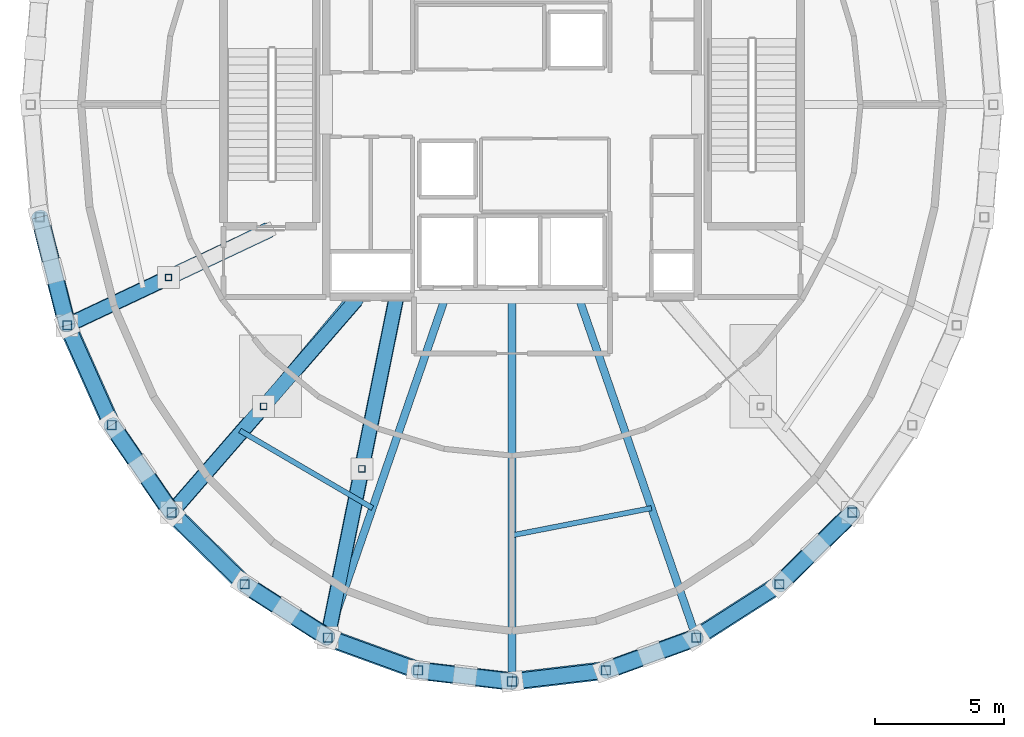
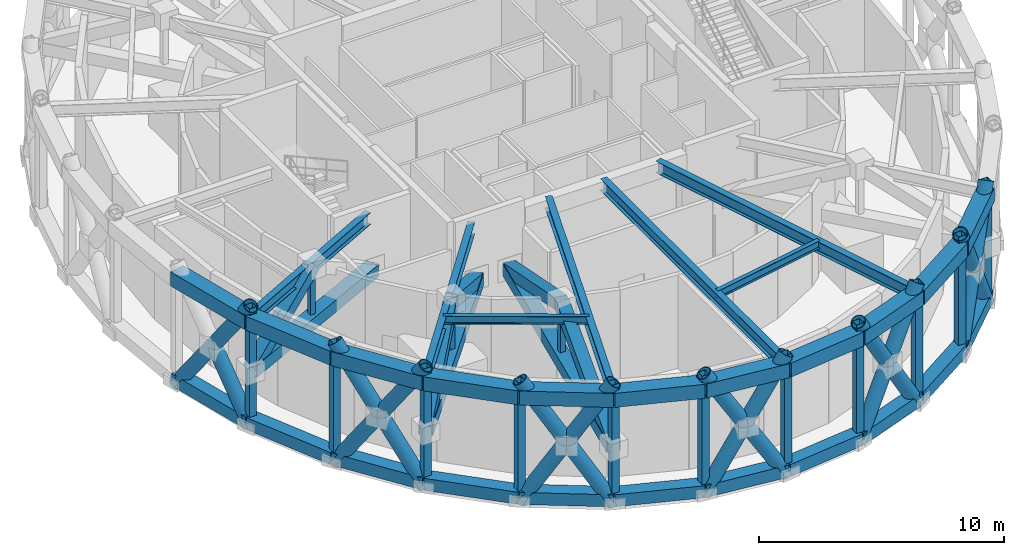
# One storey, part 1 of 11: 36 members, 32 beams.
"""IFC4 building model written with IfcOpenShell, lengths in metres."""

from ifc_helpers import new_model, si_unit, direction, frame, origin, origin_2d, place, context, subcontext, project, spatial, hollow_rectangle, hollow_circle, i_section, extrude, material, material_profile, profile_set, type_object, element, save


model = new_model("IFC4")

# Units and contexts
model_context = context("Model", 3, precision=1e-05, world=origin(), true_north=direction((0.0, 1.0)))
body_context = subcontext(model_context, "Body", "Model", "MODEL_VIEW")
ifc_project = project(units=[si_unit("LENGTHUNIT", "METRE"), si_unit("AREAUNIT", "SQUARE_METRE"), si_unit("VOLUMEUNIT", "CUBIC_METRE"), si_unit("PLANEANGLEUNIT", "RADIAN"), si_unit("MASSUNIT", "GRAM", prefix="KILO")], contexts=[model_context])

# Site, building, storey
site_placement = place(None, origin())
site = spatial("IfcSite", under=ifc_project, at=site_placement, CompositionType="ELEMENT")
building_placement = place(site_placement, origin())
building = spatial("IfcBuilding", under=site, at=building_placement, Name="Veldorina Hangang Commons", CompositionType="ELEMENT")
storey_placement = place(building_placement, frame((0.0, 0.0, 302.39990234375)))
storey = spatial("IfcBuildingStorey", under=building, at=storey_placement, Name="L79", CompositionType="ELEMENT", Elevation=302.39990234375)

# Beams
ifc_material_1 = material(Name="Steel SM460-TMC", Category="steel")
ifc_material_profile_1 = material_profile(ifc_material_1, hollow_rectangle(XDim=0.60009765625, YDim=0.60009765625, WallThickness=0.030029296875, at=origin_2d()), Name="BOX-600x600x30")
ifc_profile_set_1 = profile_set([ifc_material_profile_1], Name="Steel SM460-TMC")
beam_type_1 = type_object("IfcBeamType", Name="BM-BLT600", PredefinedType="BEAM", material=ifc_profile_set_1)
beam_1_placement = place(storey_placement, frame((13.70849609375, 19.6396484375, 0.300048828125), z_axis=(0.245337252872, -0.969437791894, 0.0), x_axis=(0.969437791894, 0.245337252872, 0.0)))
element("IfcBeam", 1, at=beam_1_placement, inside=storey, type_object=beam_type_1, Name="L79 perimeter belt truss bottom chord 17", PredefinedType="BEAM", context=body_context, shape_type="SweptSolid", body=[
    extrude(hollow_rectangle(XDim=0.60009765625, YDim=0.60009765625, WallThickness=0.030029296875, at=origin_2d()), origin(), (0.0, 0.0, 1.0), 4.32470703125),
])
beam_2_placement = place(storey_placement, frame((14.76953125, 15.447021484375, 0.300048828125), z_axis=(0.407380183428, -0.913258663331, 0.0), x_axis=(0.913258663331, 0.407380183428, 0.0)))
element("IfcBeam", 2, at=beam_2_placement, inside=storey, type_object=beam_type_1, Name="L79 perimeter belt truss bottom chord 18", PredefinedType="BEAM", context=body_context, shape_type="SweptSolid", body=[
    extrude(hollow_rectangle(XDim=0.60009765625, YDim=0.60009765625, WallThickness=0.030029296875, at=origin_2d()), origin(), (0.0, 0.0, 1.0), 4.23095703125),
])
beam_3_placement = place(storey_placement, frame((16.4931640625, 11.5830078125, 0.300048828125), z_axis=(0.565033546044, -0.825067931655, 0.0), x_axis=(0.825067931655, 0.565033546044, 0.0)))
element("IfcBeam", 3, at=beam_3_placement, inside=storey, type_object=beam_type_1, Name="L79 perimeter belt truss bottom chord 19", PredefinedType="BEAM", context=body_context, shape_type="SweptSolid", body=[
    extrude(hollow_rectangle(XDim=0.60009765625, YDim=0.60009765625, WallThickness=0.030029296875, at=origin_2d()), origin(), (0.0, 0.0, 1.0), 4.104736328125),
])
beam_4_placement = place(storey_placement, frame((18.8125, 8.1962890625, 0.300048828125), z_axis=(0.71296414879, -0.701200486694, 0.0), x_axis=(0.701200486694, 0.71296414879, 0.0)))
element("IfcBeam", 4, at=beam_4_placement, inside=storey, type_object=beam_type_1, Name="L79 perimeter belt truss bottom chord 20", PredefinedType="BEAM", context=body_context, shape_type="SweptSolid", body=[
    extrude(hollow_rectangle(XDim=0.60009765625, YDim=0.60009765625, WallThickness=0.030029296875, at=origin_2d()), origin(), (0.0, 0.0, 1.0), 3.9638671875),
])
beam_5_placement = place(storey_placement, frame((21.638671875, 5.416748046875, 0.300048828125), z_axis=(0.84205364247, -0.539393792329, 0.0), x_axis=(0.539393792329, 0.84205364247, 0.0)))
element("IfcBeam", 5, at=beam_5_placement, inside=storey, type_object=beam_type_1, Name="L79 perimeter belt truss bottom chord 21", PredefinedType="BEAM", context=body_context, shape_type="SweptSolid", body=[
    extrude(hollow_rectangle(XDim=0.60009765625, YDim=0.60009765625, WallThickness=0.030029296875, at=origin_2d()), origin(), (0.0, 0.0, 1.0), 3.8291015625),
])
beam_6_placement = place(storey_placement, frame((24.863037109375, 3.351318359375, 0.300048828125), z_axis=(0.939812570501, -0.341690404209, 0.0), x_axis=(0.341690404209, 0.939812570501, 0.0)))
element("IfcBeam", 6, at=beam_6_placement, inside=storey, type_object=beam_type_1, Name="L79 perimeter belt truss bottom chord 22", PredefinedType="BEAM", context=body_context, shape_type="SweptSolid", body=[
    extrude(hollow_rectangle(XDim=0.60009765625, YDim=0.60009765625, WallThickness=0.030029296875, at=origin_2d()), origin(), (0.0, 0.0, 1.0), 3.72265625),
])
for number, where, z_axis, x_axis, name in (
    (7, (28.361572265625, 2.079345703125, 0.300048828125), (0.993106411409, -0.117216277103, 0.0), (0.117216277103, 0.993106411409, 0.0), "L79 perimeter belt truss bottom chord 23"),
    (8, (32.0, 1.64990234375, 0.300048828125), (0.993106411409, 0.117216277103, 0.0), (-0.117216277103, 0.993106411409, 0.0), "L79 perimeter belt truss bottom chord 24"),
):
    element("IfcBeam", number, at=place(storey_placement, frame(where, z_axis=z_axis, x_axis=x_axis)), inside=storey, type_object=beam_type_1, Name=name, PredefinedType="BEAM", context=body_context, shape_type="SweptSolid", body=[
        extrude(hollow_rectangle(XDim=0.60009765625, YDim=0.60009765625, WallThickness=0.030029296875, at=origin_2d()), origin(), (0.0, 0.0, 1.0), 3.66357421875),
    ])
beam_7_placement = place(storey_placement, frame((35.638427734375, 2.079345703125, 0.300048828125), z_axis=(0.939812570501, 0.341690404209, 0.0), x_axis=(-0.341690404209, 0.939812570501, 0.0)))
element("IfcBeam", 9, at=beam_7_placement, inside=storey, type_object=beam_type_1, Name="L79 perimeter belt truss bottom chord 25", PredefinedType="BEAM", context=body_context, shape_type="SweptSolid", body=[
    extrude(hollow_rectangle(XDim=0.60009765625, YDim=0.60009765625, WallThickness=0.030029296875, at=origin_2d()), origin(), (0.0, 0.0, 1.0), 3.72265625),
])
beam_8_placement = place(storey_placement, frame((39.136962890625, 3.351318359375, 0.300048828125), z_axis=(0.84205364247, 0.539393792329, 0.0), x_axis=(-0.539393792329, 0.84205364247, 0.0)))
element("IfcBeam", 10, at=beam_8_placement, inside=storey, type_object=beam_type_1, Name="L79 perimeter belt truss bottom chord 26", PredefinedType="BEAM", context=body_context, shape_type="SweptSolid", body=[
    extrude(hollow_rectangle(XDim=0.60009765625, YDim=0.60009765625, WallThickness=0.030029296875, at=origin_2d()), origin(), (0.0, 0.0, 1.0), 3.8291015625),
])
beam_9_placement = place(storey_placement, frame((42.361328125, 5.416748046875, 0.300048828125), z_axis=(0.71296414879, 0.701200486694, 0.0), x_axis=(-0.701200486694, 0.71296414879, 0.0)))
element("IfcBeam", 11, at=beam_9_placement, inside=storey, type_object=beam_type_1, Name="L79 perimeter belt truss bottom chord 27", PredefinedType="BEAM", context=body_context, shape_type="SweptSolid", body=[
    extrude(hollow_rectangle(XDim=0.60009765625, YDim=0.60009765625, WallThickness=0.030029296875, at=origin_2d()), origin(), (0.0, 0.0, 1.0), 3.9638671875),
])
beam_10_placement = place(storey_placement, frame((22.6201171875, 19.14990234375, 2.85009765625), z_axis=(-0.904441625804, -0.426597404484, 0.0), x_axis=(0.426597404484, -0.904441625804, 0.0)))
element("IfcBeam", 12, at=beam_10_placement, inside=storey, type_object=beam_type_1, Name="L79 outrigger chord 05", PredefinedType="BEAM", context=body_context, shape_type="SweptSolid", body=[
    extrude(hollow_rectangle(XDim=0.60009765625, YDim=0.60009765625, WallThickness=0.030029296875, at=origin_2d()), origin(), (0.0, 0.0, 1.0), 8.679931640625),
])
beam_11_placement = place(storey_placement, frame((25.949951171875, 16.419921875, 2.85009765625), z_axis=(-0.655470688374, -0.755220614578, 0.0), x_axis=(0.755220614578, -0.655470688374, 0.0)))
element("IfcBeam", 13, at=beam_11_placement, inside=storey, type_object=beam_type_1, Name="L79 outrigger chord 06", PredefinedType="BEAM", context=body_context, shape_type="SweptSolid", body=[
    extrude(hollow_rectangle(XDim=0.60009765625, YDim=0.60009765625, WallThickness=0.030029296875, at=origin_2d()), origin(), (0.0, 0.0, 1.0), 10.88916015625),
])
beam_12_placement = place(storey_placement, frame((27.5, 16.419921875, 2.85009765625), z_axis=(-0.197792136691, -0.980243985273, 0.0), x_axis=(0.980243985273, -0.197792136691, 0.0)))
element("IfcBeam", 14, at=beam_12_placement, inside=storey, type_object=beam_type_1, Name="L79 outrigger chord 07", PredefinedType="BEAM", context=body_context, shape_type="SweptSolid", body=[
    extrude(hollow_rectangle(XDim=0.60009765625, YDim=0.60009765625, WallThickness=0.030029296875, at=origin_2d()), origin(), (0.0, 0.0, 1.0), 13.33203125),
])
ifc_material_profile_2 = material_profile(ifc_material_1, hollow_rectangle(XDim=0.699951171875, YDim=0.699951171875, WallThickness=0.034912109375, at=origin_2d()), Name="BOX-700x700x35")
ifc_profile_set_2 = profile_set([ifc_material_profile_2], Name="Steel SM460-TMC")
beam_type_2 = type_object("IfcBeamType", Name="BM-BLT700", PredefinedType="BEAM", material=ifc_profile_set_2)
beam_13_placement = place(storey_placement, frame((13.70849609375, 19.6396484375, 5.330078125), z_axis=(0.245337252872, -0.969437791894, 0.0), x_axis=(0.969437791894, 0.245337252872, 0.0)))
element("IfcBeam", 15, at=beam_13_placement, inside=storey, type_object=beam_type_2, Name="L79 perimeter hoop ring beam 17", PredefinedType="BEAM", context=body_context, shape_type="SweptSolid", body=[
    extrude(hollow_rectangle(XDim=0.699951171875, YDim=0.699951171875, WallThickness=0.034912109375, at=origin_2d()), origin(), (0.0, 0.0, 1.0), 4.32470703125),
])
beam_14_placement = place(storey_placement, frame((14.76953125, 15.447021484375, 5.330078125), z_axis=(0.407380183428, -0.913258663331, 0.0), x_axis=(0.913258663331, 0.407380183428, 0.0)))
element("IfcBeam", 16, at=beam_14_placement, inside=storey, type_object=beam_type_2, Name="L79 perimeter hoop ring beam 18", PredefinedType="BEAM", context=body_context, shape_type="SweptSolid", body=[
    extrude(hollow_rectangle(XDim=0.699951171875, YDim=0.699951171875, WallThickness=0.034912109375, at=origin_2d()), origin(), (0.0, 0.0, 1.0), 4.23095703125),
])
beam_15_placement = place(storey_placement, frame((16.4931640625, 11.5830078125, 5.330078125), z_axis=(0.565033546044, -0.825067931655, 0.0), x_axis=(0.825067931655, 0.565033546044, 0.0)))
element("IfcBeam", 17, at=beam_15_placement, inside=storey, type_object=beam_type_2, Name="L79 perimeter hoop ring beam 19", PredefinedType="BEAM", context=body_context, shape_type="SweptSolid", body=[
    extrude(hollow_rectangle(XDim=0.699951171875, YDim=0.699951171875, WallThickness=0.034912109375, at=origin_2d()), origin(), (0.0, 0.0, 1.0), 4.104736328125),
])
beam_16_placement = place(storey_placement, frame((18.8125, 8.1962890625, 5.330078125), z_axis=(0.71296414879, -0.701200486694, 0.0), x_axis=(0.701200486694, 0.71296414879, 0.0)))
element("IfcBeam", 18, at=beam_16_placement, inside=storey, type_object=beam_type_2, Name="L79 perimeter hoop ring beam 20", PredefinedType="BEAM", context=body_context, shape_type="SweptSolid", body=[
    extrude(hollow_rectangle(XDim=0.699951171875, YDim=0.699951171875, WallThickness=0.034912109375, at=origin_2d()), origin(), (0.0, 0.0, 1.0), 3.9638671875),
])
beam_17_placement = place(storey_placement, frame((21.638671875, 5.416748046875, 5.330078125), z_axis=(0.84205364247, -0.539393792329, 0.0), x_axis=(0.539393792329, 0.84205364247, 0.0)))
element("IfcBeam", 19, at=beam_17_placement, inside=storey, type_object=beam_type_2, Name="L79 perimeter hoop ring beam 21", PredefinedType="BEAM", context=body_context, shape_type="SweptSolid", body=[
    extrude(hollow_rectangle(XDim=0.699951171875, YDim=0.699951171875, WallThickness=0.034912109375, at=origin_2d()), origin(), (0.0, 0.0, 1.0), 3.8291015625),
])
beam_18_placement = place(storey_placement, frame((24.863037109375, 3.351318359375, 5.330078125), z_axis=(0.939812570501, -0.341690404209, 0.0), x_axis=(0.341690404209, 0.939812570501, 0.0)))
element("IfcBeam", 20, at=beam_18_placement, inside=storey, type_object=beam_type_2, Name="L79 perimeter hoop ring beam 22", PredefinedType="BEAM", context=body_context, shape_type="SweptSolid", body=[
    extrude(hollow_rectangle(XDim=0.699951171875, YDim=0.699951171875, WallThickness=0.034912109375, at=origin_2d()), origin(), (0.0, 0.0, 1.0), 3.72265625),
])
for number, where, z_axis, x_axis, name in (
    (21, (28.361572265625, 2.079345703125, 5.330078125), (0.993106411409, -0.117216277103, 0.0), (0.117216277103, 0.993106411409, 0.0), "L79 perimeter hoop ring beam 23"),
    (22, (32.0, 1.64990234375, 5.330078125), (0.993106411409, 0.117216277103, 0.0), (-0.117216277103, 0.993106411409, 0.0), "L79 perimeter hoop ring beam 24"),
):
    element("IfcBeam", number, at=place(storey_placement, frame(where, z_axis=z_axis, x_axis=x_axis)), inside=storey, type_object=beam_type_2, Name=name, PredefinedType="BEAM", context=body_context, shape_type="SweptSolid", body=[
        extrude(hollow_rectangle(XDim=0.699951171875, YDim=0.699951171875, WallThickness=0.034912109375, at=origin_2d()), origin(), (0.0, 0.0, 1.0), 3.66357421875),
    ])
beam_19_placement = place(storey_placement, frame((35.638427734375, 2.079345703125, 5.330078125), z_axis=(0.939812570501, 0.341690404209, 0.0), x_axis=(-0.341690404209, 0.939812570501, 0.0)))
element("IfcBeam", 23, at=beam_19_placement, inside=storey, type_object=beam_type_2, Name="L79 perimeter hoop ring beam 25", PredefinedType="BEAM", context=body_context, shape_type="SweptSolid", body=[
    extrude(hollow_rectangle(XDim=0.699951171875, YDim=0.699951171875, WallThickness=0.034912109375, at=origin_2d()), origin(), (0.0, 0.0, 1.0), 3.72265625),
])
beam_20_placement = place(storey_placement, frame((39.136962890625, 3.351318359375, 5.330078125), z_axis=(0.84205364247, 0.539393792329, 0.0), x_axis=(-0.539393792329, 0.84205364247, 0.0)))
element("IfcBeam", 24, at=beam_20_placement, inside=storey, type_object=beam_type_2, Name="L79 perimeter hoop ring beam 26", PredefinedType="BEAM", context=body_context, shape_type="SweptSolid", body=[
    extrude(hollow_rectangle(XDim=0.699951171875, YDim=0.699951171875, WallThickness=0.034912109375, at=origin_2d()), origin(), (0.0, 0.0, 1.0), 3.8291015625),
])
beam_21_placement = place(storey_placement, frame((42.361328125, 5.416748046875, 5.330078125), z_axis=(0.71296414879, 0.701200486694, 0.0), x_axis=(-0.701200486694, 0.71296414879, 0.0)))
element("IfcBeam", 25, at=beam_21_placement, inside=storey, type_object=beam_type_2, Name="L79 perimeter hoop ring beam 27", PredefinedType="BEAM", context=body_context, shape_type="SweptSolid", body=[
    extrude(hollow_rectangle(XDim=0.699951171875, YDim=0.699951171875, WallThickness=0.034912109375, at=origin_2d()), origin(), (0.0, 0.0, 1.0), 3.9638671875),
])
ifc_material_profile_3 = material_profile(ifc_material_1, i_section(OverallWidth=0.300048828125, OverallDepth=0.587890625, WebThickness=0.011962890625, FlangeThickness=0.02001953125, FilletRadius=0.01806640625, at=origin_2d()), Name="H-588x300x12x20")
ifc_profile_set_3 = profile_set([ifc_material_profile_3], Name="Steel SM460-TMC")
beam_type_3 = type_object("IfcBeamType", Name="BM-FG588", PredefinedType="BEAM", material=ifc_profile_set_3)
beam_22_placement = place(storey_placement, frame((22.4912109375, 19.280029296875, 5.385986328125), z_axis=(-0.895714868119, -0.444628918347, 0.0), x_axis=(0.444628918347, -0.895714868119, 0.0)))
element("IfcBeam", 26, at=beam_22_placement, inside=storey, type_object=beam_type_3, Name="L79 radial floor girder 10", PredefinedType="BEAM", context=body_context, shape_type="SweptSolid", body=[
    extrude(i_section(OverallWidth=0.300048828125, OverallDepth=0.587890625, WebThickness=0.011962890625, FlangeThickness=0.02001953125, FilletRadius=0.01806640625, at=origin_2d()), origin(), (0.0, 0.0, 1.0), 8.62060546875),
])
beam_23_placement = place(storey_placement, frame((25.783203125, 16.550048828125, 5.385986328125), z_axis=(-0.640685284005, -0.767803599145, 0.0), x_axis=(0.767803599145, -0.640685284005, 0.0)))
element("IfcBeam", 27, at=beam_23_placement, inside=storey, type_object=beam_type_3, Name="L79 radial floor girder 11", PredefinedType="BEAM", context=body_context, shape_type="SweptSolid", body=[
    extrude(i_section(OverallWidth=0.300048828125, OverallDepth=0.587890625, WebThickness=0.011962890625, FlangeThickness=0.02001953125, FilletRadius=0.01806640625, at=origin_2d()), origin(), (0.0, 0.0, 1.0), 10.880126953125),
])
beam_24_placement = place(storey_placement, frame((29.425048828125, 16.550048828125, 5.385986328125), z_axis=(-0.32667700173, -0.945136041288, 0.0), x_axis=(0.945136041288, -0.32667700173, 0.0)))
element("IfcBeam", 28, at=beam_24_placement, inside=storey, type_object=beam_type_3, Name="L79 radial floor girder 12", PredefinedType="BEAM", context=body_context, shape_type="SweptSolid", body=[
    extrude(i_section(OverallWidth=0.300048828125, OverallDepth=0.587890625, WebThickness=0.011962890625, FlangeThickness=0.02001953125, FilletRadius=0.01806640625, at=origin_2d()), origin(), (0.0, 0.0, 1.0), 13.96484375),
])
beam_25_placement = place(storey_placement, frame((32.0, 16.550048828125, 5.385986328125), z_axis=(0.0, -1.0, 0.0), x_axis=(1.0, 0.0, 0.0)))
element("IfcBeam", 29, at=beam_25_placement, inside=storey, type_object=beam_type_3, Name="L79 radial floor girder 13", PredefinedType="BEAM", context=body_context, shape_type="SweptSolid", body=[
    extrude(i_section(OverallWidth=0.300048828125, OverallDepth=0.587890625, WebThickness=0.011962890625, FlangeThickness=0.02001953125, FilletRadius=0.01806640625, at=origin_2d()), origin(), (0.0, 0.0, 1.0), 14.900146484375),
])
beam_26_placement = place(storey_placement, frame((34.574951171875, 16.550048828125, 5.385986328125), z_axis=(0.32667700173, -0.945136041288, 0.0), x_axis=(0.945136041288, 0.32667700173, 0.0)))
element("IfcBeam", 30, at=beam_26_placement, inside=storey, type_object=beam_type_3, Name="L79 radial floor girder 14", PredefinedType="BEAM", context=body_context, shape_type="SweptSolid", body=[
    extrude(i_section(OverallWidth=0.300048828125, OverallDepth=0.587890625, WebThickness=0.011962890625, FlangeThickness=0.02001953125, FilletRadius=0.01806640625, at=origin_2d()), origin(), (0.0, 0.0, 1.0), 13.96484375),
])
ifc_material_2 = material(Name="Steel SM355-TMC", Category="steel")
ifc_material_profile_4 = material_profile(ifc_material_2, i_section(OverallWidth=0.199951171875, OverallDepth=0.39990234375, WebThickness=0.008056640625, FlangeThickness=0.012939453125, FilletRadius=0.012939453125, at=origin_2d()), Name="H-400x200x8x13")
ifc_profile_set_4 = profile_set([ifc_material_profile_4], Name="Steel SM355-TMC")
beam_type_4 = type_object("IfcBeamType", Name="BM-JST400", PredefinedType="JOIST", material=ifc_profile_set_4)
beam_27_placement = place(storey_placement, frame((21.46142578125, 11.37060546875, 5.47998046875), z_axis=(0.863168031084, -0.504916775433, 0.0), x_axis=(0.504916775433, 0.863168031084, 0.0)))
element("IfcBeam", 31, at=beam_27_placement, inside=storey, type_object=beam_type_4, Name="L79 secondary floor joist 11", PredefinedType="JOIST", context=body_context, shape_type="SweptSolid", body=[
    extrude(i_section(OverallWidth=0.199951171875, OverallDepth=0.39990234375, WebThickness=0.008056640625, FlangeThickness=0.012939453125, FilletRadius=0.012939453125, at=origin_2d()), origin(), (0.0, 0.0, 1.0), 5.94921875),
])
beam_28_placement = place(storey_placement, frame((32.0, 7.31201171875, 5.47998046875), z_axis=(0.981477578054, 0.191577043972, 0.0), x_axis=(-0.191577043972, 0.981477578054, 0.0)))
element("IfcBeam", 32, at=beam_28_placement, inside=storey, type_object=beam_type_4, Name="L79 secondary floor joist 13", PredefinedType="JOIST", context=body_context, shape_type="SweptSolid", body=[
    extrude(i_section(OverallWidth=0.199951171875, OverallDepth=0.39990234375, WebThickness=0.008056640625, FlangeThickness=0.012939453125, FilletRadius=0.012939453125, at=origin_2d()), origin(), (0.0, 0.0, 1.0), 5.50537109375),
])

# Members
ifc_material_profile_5 = material_profile(ifc_material_1, hollow_circle(Radius=0.324951171875, WallThickness=0.031982421875, at=origin_2d()), Name="CHS-650x32")
ifc_profile_set_5 = profile_set([ifc_material_profile_5], Name="Steel SM460-TMC")
member_type_1 = type_object("IfcMemberType", Name="DG-CHS650", PredefinedType="BRACE", material=ifc_profile_set_5)
member_1_placement = place(storey_placement, frame((13.70849609375, 19.6396484375, 0.0), z_axis=(0.143456610125, -0.566861565963, 0.81122633466), x_axis=(0.969437791894, 0.245337252872, 0.0)))
element("IfcMember", 33, at=member_1_placement, inside=storey, type_object=member_type_1, Name="L79 continuous perimeter diagrid brace 17", PredefinedType="BRACE", context=body_context, shape_type="SweptSolid", body=[
    extrude(hollow_circle(Radius=0.324951171875, WallThickness=0.031982421875, at=origin_2d()), origin(), (0.0, 0.0, 1.0), 7.396240234375),
])
member_2_placement = place(storey_placement, frame((14.76953125, 15.447021484375, 0.0), z_axis=(-0.143453925838, 0.566883967407, 0.811211155408), x_axis=(-0.969441189439, -0.245323827256, 0.0)))
element("IfcMember", 34, at=member_2_placement, inside=storey, type_object=member_type_1, Name="L79 split perimeter diagrid lower brace 18", PredefinedType="BRACE", context=body_context, shape_type="SweptSolid", body=[
    extrude(hollow_circle(Radius=0.324951171875, WallThickness=0.031982421875, at=origin_2d()), origin(), (0.0, 0.0, 1.0), 3.6982421875),
])
member_3_placement = place(storey_placement, frame((16.4931640625, 11.5830078125, 0.0), z_axis=(0.319039545567, -0.465864902747, 0.825338512826), x_axis=(0.825067931655, 0.565033546044, 0.0)))
element("IfcMember", 35, at=member_3_placement, inside=storey, type_object=member_type_1, Name="L79 continuous perimeter diagrid brace 19", PredefinedType="BRACE", context=body_context, shape_type="SweptSolid", body=[
    extrude(hollow_circle(Radius=0.324951171875, WallThickness=0.031982421875, at=origin_2d()), origin(), (0.0, 0.0, 1.0), 7.269775390625),
])
for number, where, z_axis, x_axis, name in (
    (36, (18.8125, 8.1962890625, 0.0), (-0.319039545567, 0.465864902747, 0.825338512826), (-0.825067931655, -0.565033546044, 0.0), "L79 split perimeter diagrid lower brace 20"),
    (37, (17.65283203125, 9.8896484375, 3.0), (-0.319039545567, 0.465864902747, 0.825338512826), (-0.825067931655, -0.565033546044, 0.0), "L79 split perimeter diagrid upper brace 20"),
):
    element("IfcMember", number, at=place(storey_placement, frame(where, z_axis=z_axis, x_axis=x_axis)), inside=storey, type_object=member_type_1, Name=name, PredefinedType="BRACE", context=body_context, shape_type="SweptSolid", body=[
        extrude(hollow_circle(Radius=0.324951171875, WallThickness=0.031982421875, at=origin_2d()), origin(), (0.0, 0.0, 1.0), 3.634765625),
    ])
member_4_placement = place(storey_placement, frame((21.638671875, 5.416748046875, 0.0), z_axis=(0.453002698216, -0.290179664337, 0.842961634841), x_axis=(0.539393792329, 0.84205364247, 0.0)))
element("IfcMember", 38, at=member_4_placement, inside=storey, type_object=member_type_1, Name="L79 continuous perimeter diagrid brace 21", PredefinedType="BRACE", context=body_context, shape_type="SweptSolid", body=[
    extrude(hollow_circle(Radius=0.324951171875, WallThickness=0.031982421875, at=origin_2d()), origin(), (0.0, 0.0, 1.0), 7.11767578125),
])
for number, where, z_axis, x_axis, name in (
    (39, (24.863037109375, 3.351318359375, 0.0), (-0.453029958984, 0.290175155437, 0.842948536644), (-0.539364834717, -0.842072191128, 0.0), "L79 split perimeter diagrid lower brace 22"),
    (40, (23.250732421875, 4.384033203125, 3.0), (-0.452975436177, 0.290184173107, 0.842974732657), (-0.539422752413, -0.842035090824, 0.0), "L79 split perimeter diagrid upper brace 22"),
):
    element("IfcMember", number, at=place(storey_placement, frame(where, z_axis=z_axis, x_axis=x_axis)), inside=storey, type_object=member_type_1, Name=name, PredefinedType="BRACE", context=body_context, shape_type="SweptSolid", body=[
        extrude(hollow_circle(Radius=0.324951171875, WallThickness=0.031982421875, at=origin_2d()), origin(), (0.0, 0.0, 1.0), 3.558837890625),
    ])
member_5_placement = place(storey_placement, frame((28.361572265625, 2.079345703125, 0.0), z_axis=(0.51754850193, -0.06108621183, 0.853470575283), x_axis=(0.117216277103, 0.993106411409, 0.0)))
element("IfcMember", 41, at=member_5_placement, inside=storey, type_object=member_type_1, Name="L79 continuous perimeter diagrid brace 23", PredefinedType="BRACE", context=body_context, shape_type="SweptSolid", body=[
    extrude(hollow_circle(Radius=0.324951171875, WallThickness=0.031982421875, at=origin_2d()), origin(), (0.0, 0.0, 1.0), 7.030029296875),
])
member_6_placement = place(storey_placement, frame((32.0, 1.64990234375, 0.0), z_axis=(-0.517521977289, 0.061121908471, 0.853484103735), x_axis=(-0.117289760722, -0.993097735386, 0.0)))
element("IfcMember", 42, at=member_6_placement, inside=storey, type_object=member_type_1, Name="L79 split perimeter diagrid lower brace 24", PredefinedType="BRACE", context=body_context, shape_type="SweptSolid", body=[
    extrude(hollow_circle(Radius=0.324951171875, WallThickness=0.031982421875, at=origin_2d()), origin(), (0.0, 0.0, 1.0), 3.514892578125),
])
member_7_placement = place(storey_placement, frame((30.180908203125, 1.86474609375, 3.0), z_axis=(-0.517575024613, 0.061050516188, 0.853457045416), x_axis=(-0.11714280142, -0.993115080983, 0.0)))
element("IfcMember", 43, at=member_7_placement, inside=storey, type_object=member_type_1, Name="L79 split perimeter diagrid upper brace 24", PredefinedType="BRACE", context=body_context, shape_type="SweptSolid", body=[
    extrude(hollow_circle(Radius=0.324951171875, WallThickness=0.031982421875, at=origin_2d()), origin(), (0.0, 0.0, 1.0), 3.51513671875),
])
member_8_placement = place(storey_placement, frame((35.638427734375, 2.079345703125, 0.0), z_axis=(0.495473332743, 0.180140688318, 0.849738494452), x_axis=(-0.341690404209, 0.939812570501, 0.0)))
element("IfcMember", 44, at=member_8_placement, inside=storey, type_object=member_type_1, Name="L79 continuous perimeter diagrid brace 25", PredefinedType="BRACE", context=body_context, shape_type="SweptSolid", body=[
    extrude(hollow_circle(Radius=0.324951171875, WallThickness=0.031982421875, at=origin_2d()), origin(), (0.0, 0.0, 1.0), 7.06103515625),
])
for number, where, z_axis, x_axis, name in (
    (45, (39.136962890625, 3.351318359375, 0.0), (-0.495473332743, -0.180140688318, 0.849738494452), (0.341690404209, -0.939812570501, 0.0), "L79 split perimeter diagrid lower brace 26"),
    (46, (37.3876953125, 2.71533203125, 3.0), (-0.495473332743, -0.180140688318, 0.849738494452), (0.341690404209, -0.939812570501, 0.0), "L79 split perimeter diagrid upper brace 26"),
):
    element("IfcMember", number, at=place(storey_placement, frame(where, z_axis=z_axis, x_axis=x_axis)), inside=storey, type_object=member_type_1, Name=name, PredefinedType="BRACE", context=body_context, shape_type="SweptSolid", body=[
        extrude(hollow_circle(Radius=0.324951171875, WallThickness=0.031982421875, at=origin_2d()), origin(), (0.0, 0.0, 1.0), 3.530517578125),
    ])
member_9_placement = place(storey_placement, frame((42.361328125, 5.416748046875, 0.0), z_axis=(0.393005204485, 0.386520754411, 0.834355209522), x_axis=(-0.701200486694, 0.71296414879, 0.0)))
element("IfcMember", 47, at=member_9_placement, inside=storey, type_object=member_type_1, Name="L79 continuous perimeter diagrid brace 27", PredefinedType="BRACE", context=body_context, shape_type="SweptSolid", body=[
    extrude(hollow_circle(Radius=0.324951171875, WallThickness=0.031982421875, at=origin_2d()), origin(), (0.0, 0.0, 1.0), 7.191162109375),
])
member_10_placement = place(storey_placement, frame((45.1875, 8.1962890625, 0.0), z_axis=(-0.393000047197, -0.386549631771, 0.834344260531), x_axis=(0.70123179189, -0.712933358767, 0.0)))
element("IfcMember", 48, at=member_10_placement, inside=storey, type_object=member_type_1, Name="L79 split perimeter diagrid lower brace 28", PredefinedType="BRACE", context=body_context, shape_type="SweptSolid", body=[
    extrude(hollow_circle(Radius=0.324951171875, WallThickness=0.031982421875, at=origin_2d()), origin(), (0.0, 0.0, 1.0), 3.595703125),
])
member_11_placement = place(storey_placement, frame((43.7744140625, 6.806396484375, 3.0), z_axis=(-0.393010361524, -0.386491875915, 0.834366157983), x_axis=(0.701169177442, -0.712994940098, 0.0)))
element("IfcMember", 49, at=member_11_placement, inside=storey, type_object=member_type_1, Name="L79 split perimeter diagrid upper brace 28", PredefinedType="BRACE", context=body_context, shape_type="SweptSolid", body=[
    extrude(hollow_circle(Radius=0.324951171875, WallThickness=0.031982421875, at=origin_2d()), origin(), (0.0, 0.0, 1.0), 3.595458984375),
])
ifc_material_3 = material(Name="Steel SM420-TMC", Category="steel")
ifc_material_profile_6 = material_profile(ifc_material_3, hollow_rectangle(XDim=0.550048828125, YDim=0.550048828125, WallThickness=0.02490234375, at=origin_2d()), Name="BOX-550x550x25")
ifc_profile_set_6 = profile_set([ifc_material_profile_6], Name="Steel SM420-TMC")
member_type_2 = type_object("IfcMemberType", Name="OR-BOX550", PredefinedType="BRACE", material=ifc_profile_set_6)
member_12_placement = place(storey_placement, frame((18.69482421875, 17.298583984375, 5.530029296875), z_axis=(-0.769543369251, -0.362993961463, -0.52539355419), x_axis=(0.426620412109, -0.904430773455, 0.0)))
element("IfcMember", 50, at=member_12_placement, inside=storey, type_object=member_type_2, Name="L79 outrigger outer web diagonal 05", PredefinedType="BRACE", context=body_context, shape_type="SweptSolid", body=[
    extrude(hollow_rectangle(XDim=0.550048828125, YDim=0.550048828125, WallThickness=0.02490234375, at=origin_2d()), origin(), (0.0, 0.0, 1.0), 5.100830078125),
])
for number, where, z_axis, x_axis, name in (
    (51, (25.949951171875, 16.419921875, 2.85009765625), (-0.588075146009, -0.677591955195, 0.441629669408), (0.755231713465, -0.655457900232, 0.0), "L79 outrigger inner web diagonal 06"),
    (52, (22.38134765625, 12.30810546875, 5.530029296875), (-0.588101463726, -0.677575923661, -0.44161922064), (0.7552095158, -0.655483475951, 0.0), "L79 outrigger outer web diagonal 06"),
):
    element("IfcMember", number, at=place(storey_placement, frame(where, z_axis=z_axis, x_axis=x_axis)), inside=storey, type_object=member_type_2, Name=name, PredefinedType="BRACE", context=body_context, shape_type="SweptSolid", body=[
        extrude(hollow_rectangle(XDim=0.550048828125, YDim=0.550048828125, WallThickness=0.02490234375, at=origin_2d()), origin(), (0.0, 0.0, 1.0), 6.068359375),
    ])
member_13_placement = place(storey_placement, frame((27.5, 16.419921875, 2.85009765625), z_axis=(-0.183535885727, -0.90948980663, 0.373018592414), x_axis=(0.980239718081, -0.197813283416, 0.0)))
element("IfcMember", 53, at=member_13_placement, inside=storey, type_object=member_type_2, Name="L79 outrigger inner web diagonal 07", PredefinedType="BRACE", context=body_context, shape_type="SweptSolid", body=[
    extrude(hollow_rectangle(XDim=0.550048828125, YDim=0.550048828125, WallThickness=0.02490234375, at=origin_2d()), origin(), (0.0, 0.0, 1.0), 7.184326171875),
])
member_14_placement = place(storey_placement, frame((26.181396484375, 9.8857421875, 5.530029296875), z_axis=(-0.183497376995, -0.909501350978, -0.373009390237), x_axis=(0.980248251886, -0.197770990479, 0.0)))
element("IfcMember", 54, at=member_14_placement, inside=storey, type_object=member_type_2, Name="L79 outrigger outer web diagonal 07", PredefinedType="BRACE", context=body_context, shape_type="SweptSolid", body=[
    extrude(hollow_rectangle(XDim=0.550048828125, YDim=0.550048828125, WallThickness=0.02490234375, at=origin_2d()), origin(), (0.0, 0.0, 1.0), 7.1845703125),
])
ifc_material_profile_7 = material_profile(ifc_material_2, hollow_rectangle(XDim=0.25, YDim=0.25, WallThickness=0.011962890625, at=origin_2d()), Name="SHS-250x250x12")
ifc_profile_set_7 = profile_set([ifc_material_profile_7], Name="Steel SM355-TMC")
member_type_3 = type_object("IfcMemberType", Name="STR-SHS250", PredefinedType="STRUT", material=ifc_profile_set_7)
for number, where, z_axis, x_axis, name in (
    (55, (18.69482421875, 17.298583984375, 2.85009765625), (0.0, 0.0, 1.0), (1.0, 0.0, 0.0), "L79 outrigger mid vertical strut 05"),
    (56, (22.38134765625, 12.30810546875, 2.85009765625), (0.0, 0.0, 1.0), (1.0, 0.0, 0.0), "L79 outrigger mid vertical strut 06"),
    (57, (26.181396484375, 9.8857421875, 2.85009765625), (0.0, 0.0, 1.0), (1.0, 0.0, 0.0), "L79 outrigger mid vertical strut 07"),
):
    element("IfcMember", number, at=place(storey_placement, frame(where, z_axis=z_axis, x_axis=x_axis)), inside=storey, type_object=member_type_3, Name=name, PredefinedType="STRUT", context=body_context, shape_type="SweptSolid", body=[
        extrude(hollow_rectangle(XDim=0.25, YDim=0.25, WallThickness=0.011962890625, at=origin_2d()), origin(), (0.0, 0.0, 1.0), 2.679931640625),
    ])
ifc_material_profile_8 = material_profile(ifc_material_2, hollow_rectangle(XDim=0.35009765625, YDim=0.35009765625, WallThickness=0.01611328125, at=origin_2d()), Name="SHS-350x350x16")
ifc_profile_set_8 = profile_set([ifc_material_profile_8], Name="Steel SM355-TMC")
member_type_4 = type_object("IfcMemberType", Name="STR-SHS350", PredefinedType="STRUT", material=ifc_profile_set_8)
for number, where, z_axis, x_axis, name in (
    (58, (14.76953125, 15.447021484375, 0.0), (0.0, 0.0, 1.0), (1.0, 0.0, 0.0), "L79 perimeter ring node post 18"),
    (59, (16.4931640625, 11.5830078125, 0.0), (0.0, 0.0, 1.0), (1.0, 0.0, 0.0), "L79 perimeter ring node post 19"),
    (60, (18.8125, 8.1962890625, 0.0), (0.0, 0.0, 1.0), (1.0, 0.0, 0.0), "L79 perimeter ring node post 20"),
    (61, (21.638671875, 5.416748046875, 0.0), (0.0, 0.0, 1.0), (1.0, 0.0, 0.0), "L79 perimeter ring node post 21"),
    (62, (24.863037109375, 3.351318359375, 0.0), (0.0, 0.0, 1.0), (1.0, 0.0, 0.0), "L79 perimeter ring node post 22"),
    (63, (28.361572265625, 2.079345703125, 0.0), (0.0, 0.0, 1.0), (1.0, 0.0, 0.0), "L79 perimeter ring node post 23"),
    (64, (32.0, 1.64990234375, 0.0), (0.0, 0.0, 1.0), (1.0, 0.0, 0.0), "L79 perimeter ring node post 24"),
    (65, (35.638427734375, 2.079345703125, 0.0), (0.0, 0.0, 1.0), (1.0, 0.0, 0.0), "L79 perimeter ring node post 25"),
    (66, (39.136962890625, 3.351318359375, 0.0), (0.0, 0.0, 1.0), (1.0, 0.0, 0.0), "L79 perimeter ring node post 26"),
    (67, (42.361328125, 5.416748046875, 0.0), (0.0, 0.0, 1.0), (1.0, 0.0, 0.0), "L79 perimeter ring node post 27"),
    (68, (45.1875, 8.1962890625, 0.0), (0.0, 0.0, 1.0), (1.0, 0.0, 0.0), "L79 perimeter ring node post 28"),
):
    element("IfcMember", number, at=place(storey_placement, frame(where, z_axis=z_axis, x_axis=x_axis)), inside=storey, type_object=member_type_4, Name=name, PredefinedType="STRUT", context=body_context, shape_type="SweptSolid", body=[
        extrude(hollow_rectangle(XDim=0.35009765625, YDim=0.35009765625, WallThickness=0.01611328125, at=origin_2d()), origin(), (0.0, 0.0, 1.0), 6.0),
    ])

save(model, "model.ifc")
